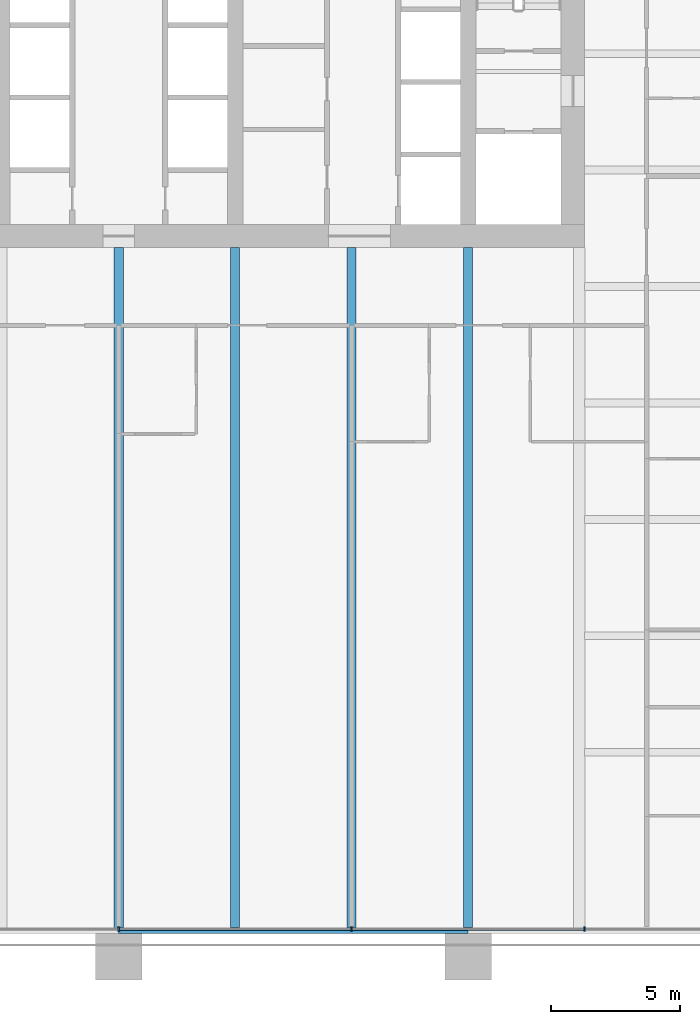
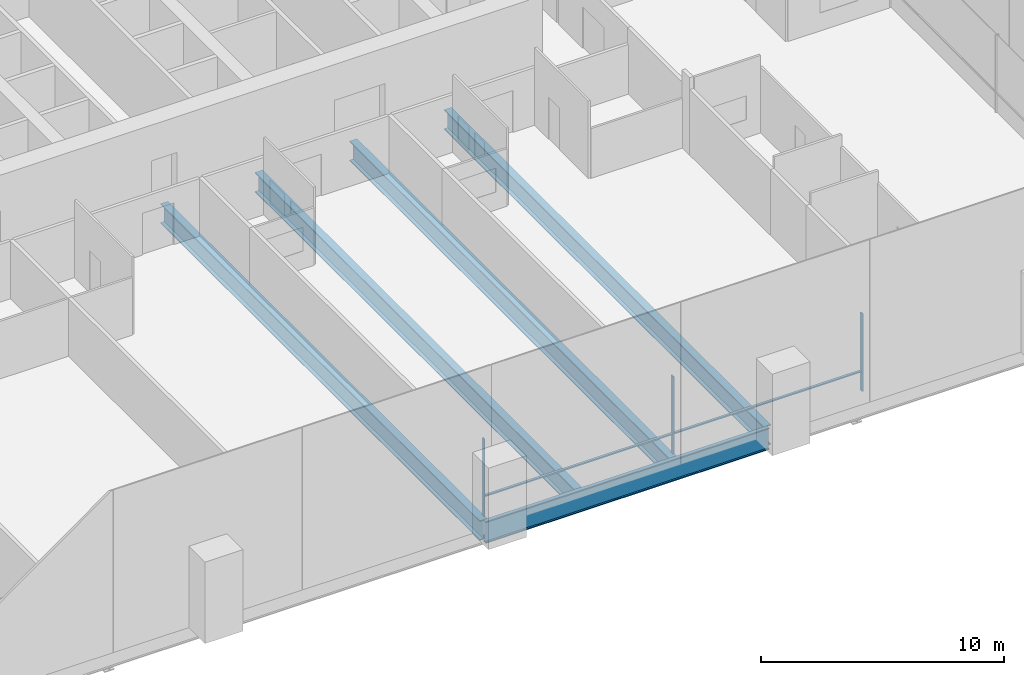
# One storey, part 5 of 18: 5 beams, 5 members, 1 element without a shape of its own.
"""IFC4 building model written with IfcOpenShell, lengths in metres."""

from ifc_helpers import new_model, si_unit, direction, frame, origin, origin_2d, place, context, subcontext, project, spatial, rectangle, i_section, extrude, material, material_profile, profile_set, type_object, element, aggregate, save


model = new_model("IFC4")

# Units and contexts
model_context = context("Model", 3, precision=1e-05, world=origin(), true_north=direction((0.0, 1.0)))
body_context = subcontext(model_context, "Body", "Model", "MODEL_VIEW")
ifc_project = project(units=[si_unit("LENGTHUNIT", "METRE"), si_unit("AREAUNIT", "SQUARE_METRE"), si_unit("VOLUMEUNIT", "CUBIC_METRE"), si_unit("PLANEANGLEUNIT", "RADIAN"), si_unit("MASSUNIT", "GRAM", prefix="KILO")], contexts=[model_context])

# Site, building, storey
site_placement = place(None, origin())
site = spatial("IfcSite", under=ifc_project, at=site_placement, CompositionType="ELEMENT")
building_placement = place(site_placement, origin())
building = spatial("IfcBuilding", under=site, at=building_placement, Name="Rattan Terrace Tower", CompositionType="ELEMENT")
storey_placement = place(building_placement, frame((0.0, 0.0, 32.39990234375)))
storey = spatial("IfcBuildingStorey", under=building, at=storey_placement, Name="L06", CompositionType="ELEMENT", Elevation=32.39990234375)

# Curtain wall, members
ifc_material_1 = material(Name="Aluminium and glass", Category="aluminium")
curtain_wall_type = type_object("IfcCurtainWallType", Name="Facade Unitised Curtain Wall", PredefinedType="NOTDEFINED", material=ifc_material_1)
curtain_wall_placement = place(storey_placement, origin())
curtain_wall = element("IfcCurtainWall", 1, at=curtain_wall_placement, inside=storey, type_object=curtain_wall_type, Name="Curtain wall L06-4", PredefinedType="NOTDEFINED")
ifc_material_2 = material(Name="Aluminium", Category="aluminium")
ifc_material_profile_1 = material_profile(ifc_material_2, rectangle(XDim=0.06005859375, YDim=0.159912109375, at=origin_2d()), Name="Aluminium 60x160")
ifc_profile_set_1 = profile_set([ifc_material_profile_1], Name="Aluminium")
member_type_1 = type_object("IfcMemberType", Name="Facade CW Mullion 60x160", PredefinedType="MULLION", material=ifc_profile_set_1)
member_1_placement = place(storey_placement, frame((0.0, -33.830078125, 0.0), z_axis=(0.0, 0.0, 1.0), x_axis=(1.0, 0.0, 0.0)))
member_1 = element("IfcMember", 2, at=member_1_placement, type_object=member_type_1, Name="Mullion cwl-L06-004.4", PredefinedType="MULLION", context=body_context, shape_type="SweptSolid", body=[
    extrude(rectangle(XDim=0.06005859375, YDim=0.159912109375, at=origin_2d()), origin(), (0.0, 0.0, 1.0), 3.900146484375),
])
member_2_placement = place(storey_placement, frame((9.0, -33.830078125, 0.0), z_axis=(0.0, 0.0, 1.0), x_axis=(1.0, 0.0, 0.0)))
member_2 = element("IfcMember", 3, at=member_2_placement, type_object=member_type_1, Name="Mullion cwl-L06-004.5", PredefinedType="MULLION", context=body_context, shape_type="SweptSolid", body=[
    extrude(rectangle(XDim=0.06005859375, YDim=0.159912109375, at=origin_2d()), origin(), (0.0, 0.0, 1.0), 3.900146484375),
])
member_3_placement = place(storey_placement, frame((18.0, -33.830078125, 0.0), z_axis=(0.0, 0.0, 1.0), x_axis=(1.0, 0.0, 0.0)))
member_3 = element("IfcMember", 4, at=member_3_placement, type_object=member_type_1, Name="Mullion cwl-L06-004.6", PredefinedType="MULLION", context=body_context, shape_type="SweptSolid", body=[
    extrude(rectangle(XDim=0.06005859375, YDim=0.159912109375, at=origin_2d()), origin(), (0.0, 0.0, 1.0), 3.900146484375),
])
ifc_material_3 = material(Name="Aluminium", Category="aluminium")
ifc_material_profile_2 = material_profile(ifc_material_3, rectangle(XDim=0.1201171875, YDim=0.06005859375, at=origin_2d()), Name="Aluminium 120x60")
ifc_profile_set_2 = profile_set([ifc_material_profile_2], Name="Aluminium")
member_type_2 = type_object("IfcMemberType", Name="Facade CW Transom 120x60", PredefinedType="USERDEFINED", material=ifc_profile_set_2)
member_4_placement = place(storey_placement, frame((0.030029296875, -33.830078125, 1.0), z_axis=(1.0, 0.0, 0.0), x_axis=(0.0, 1.0, 0.0)))
member_4 = element("IfcMember", 5, at=member_4_placement, type_object=member_type_2, Name="Transom cwl-L06-004.4", ObjectType="TRANSOM", PredefinedType="USERDEFINED", context=body_context, shape_type="SweptSolid", body=[
    extrude(rectangle(XDim=0.1201171875, YDim=0.06005859375, at=origin_2d()), origin(), (0.0, 0.0, 1.0), 8.93994140625),
])
member_5_placement = place(storey_placement, frame((9.030029296875, -33.830078125, 1.0), z_axis=(1.0, 0.0, 0.0), x_axis=(0.0, 1.0, 0.0)))
member_5 = element("IfcMember", 6, at=member_5_placement, type_object=member_type_2, Name="Transom cwl-L06-004.5", ObjectType="TRANSOM", PredefinedType="USERDEFINED", context=body_context, shape_type="SweptSolid", body=[
    extrude(rectangle(XDim=0.1201171875, YDim=0.06005859375, at=origin_2d()), origin(), (0.0, 0.0, 1.0), 8.93994140625),
])
aggregate(curtain_wall, [member_1, member_2, member_3, member_4, member_5])

# Beams
ifc_material_4 = material(Name="Steel S460", Category="steel")
ifc_material_profile_3 = material_profile(ifc_material_4, i_section(OverallWidth=0.179931640625, OverallDepth=1.10009765625, WebThickness=0.01611328125, FlangeThickness=0.050048828125, at=origin_2d()), Name="PG 1100x180-16-50")
ifc_profile_set_3 = profile_set([ifc_material_profile_3], Name="Steel S460")
beam_type_1 = type_object("IfcBeamType", Name="Frame edge girder PG 1100x180-16-50", PredefinedType="SPANDREL", material=ifc_profile_set_3)
beam_placement = place(storey_placement, frame((0.0, -33.909912109375, -0.75), z_axis=(1.0, 0.0, 0.0), x_axis=(0.0, 1.0, 0.0)))
element("IfcBeam", 7, at=beam_placement, inside=storey, type_object=beam_type_1, Name="gdr-L06-003", PredefinedType="SPANDREL", context=body_context, shape_type="SweptSolid", body=[
    extrude(i_section(OverallWidth=0.179931640625, OverallDepth=1.10009765625, WebThickness=0.01611328125, FlangeThickness=0.050048828125, at=origin_2d()), origin(), (0.0, 0.0, 1.0), 13.5),
])
ifc_material_5 = material(Name="Steel S460", Category="steel")
ifc_material_profile_4 = material_profile(ifc_material_5, i_section(OverallWidth=0.35009765625, OverallDepth=1.0, WebThickness=0.01611328125, FlangeThickness=0.044921875, at=origin_2d()), Name="PG 1000x350-16-45")
ifc_profile_set_4 = profile_set([ifc_material_profile_4], Name="Steel S460")
beam_type_2 = type_object("IfcBeamType", Name="Frame floor beam PG 1000x350-16-45", PredefinedType="JOIST", material=ifc_profile_set_4)
for number, where, z_axis, x_axis, name in (
    (8, (0.0, -33.820068359375, -0.699951171875), (0.0, 1.0, 0.0), (-1.0, 0.0, 0.0), "bm-L06-006"),
    (9, (4.5, -33.820068359375, -0.699951171875), (0.0, 1.0, 0.0), (-1.0, 0.0, 0.0), "bm-L06-007"),
    (10, (9.0, -33.820068359375, -0.699951171875), (0.0, 1.0, 0.0), (-1.0, 0.0, 0.0), "bm-L06-008"),
    (11, (13.5, -33.820068359375, -0.699951171875), (0.0, 1.0, 0.0), (-1.0, 0.0, 0.0), "bm-L06-009"),
):
    element("IfcBeam", number, at=place(storey_placement, frame(where, z_axis=z_axis, x_axis=x_axis)), inside=storey, type_object=beam_type_2, Name=name, PredefinedType="JOIST", context=body_context, shape_type="SweptSolid", body=[
        extrude(i_section(OverallWidth=0.35009765625, OverallDepth=1.0, WebThickness=0.01611328125, FlangeThickness=0.044921875, at=origin_2d()), origin(), (0.0, 0.0, 1.0), 26.320068359375),
    ])

save(model, "model.ifc")
